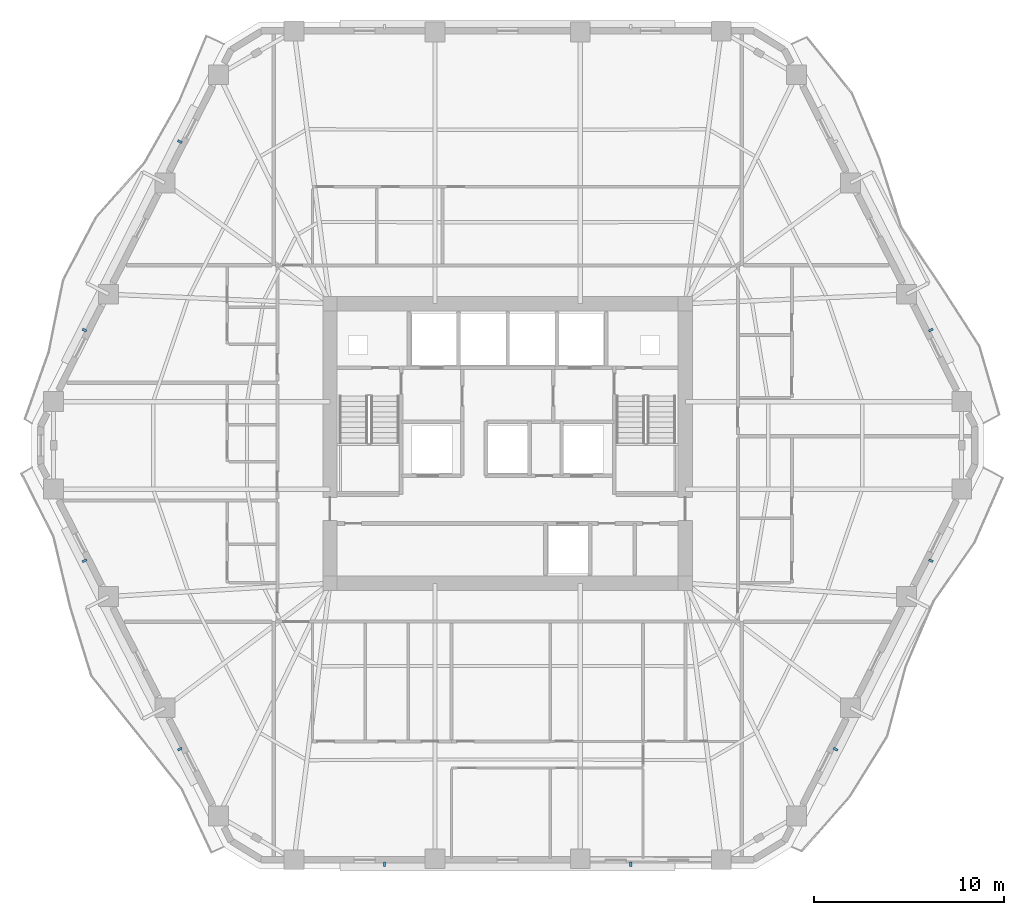
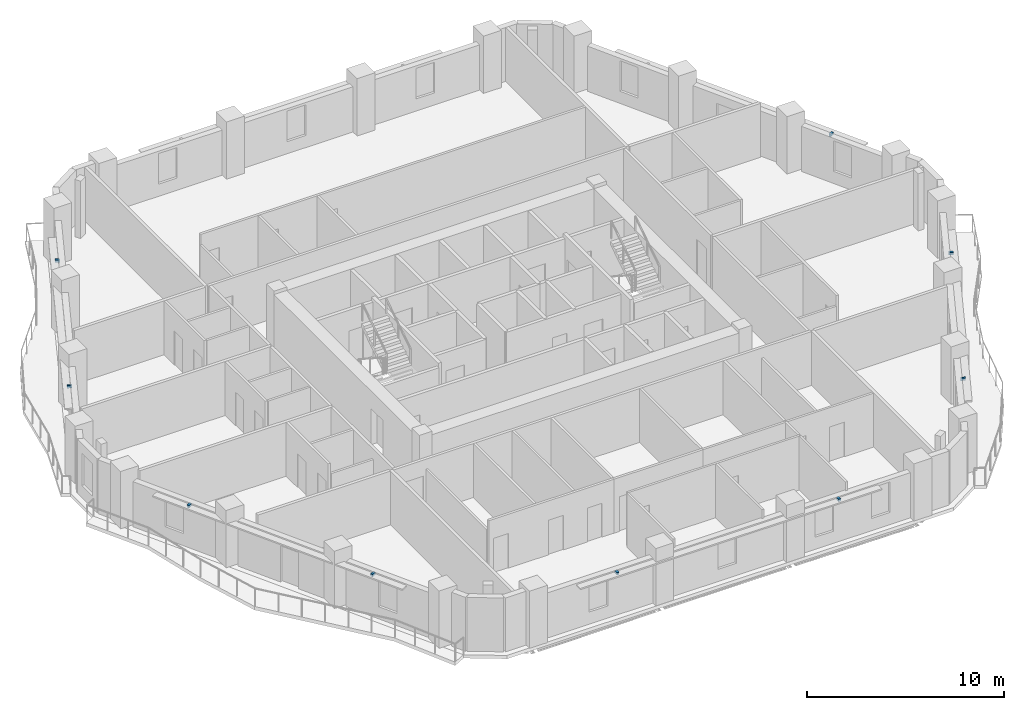
# One storey, part 8 of 12: 9 discrete accessories.
"""IFC4 building model written with IfcOpenShell, lengths in metres."""

from ifc_helpers import new_model, si_unit, direction, frame, origin, origin_2d, place, context, subcontext, project, spatial, rectangle, extrude, material, type_object, element, save


model = new_model("IFC4")

# Units and contexts
model_context = context("Model", 3, precision=1e-05, world=origin(), true_north=direction((0.0, 1.0)))
body_context = subcontext(model_context, "Body", "Model", "MODEL_VIEW")
ifc_project = project(units=[si_unit("LENGTHUNIT", "METRE"), si_unit("AREAUNIT", "SQUARE_METRE"), si_unit("VOLUMEUNIT", "CUBIC_METRE"), si_unit("PLANEANGLEUNIT", "RADIAN"), si_unit("MASSUNIT", "GRAM", prefix="KILO")], contexts=[model_context])

# Site, building, storey
site_placement = place(None, origin())
site = spatial("IfcSite", under=ifc_project, at=site_placement, CompositionType="ELEMENT")
building_placement = place(site_placement, origin())
building = spatial("IfcBuilding", under=site, at=building_placement, Name="Cinnabar Lancet Tower", CompositionType="ELEMENT")
storey_placement = place(building_placement, frame((0.0, 0.0, 123.25)))
storey = spatial("IfcBuildingStorey", under=building, at=storey_placement, Name="L32", CompositionType="ELEMENT", Elevation=123.25)

# Discrete accessories
ifc_material = material(Name="Stainless steel 316 facade fixing bracket", Category="steel")
discrete_accessory_type = type_object("IfcDiscreteAccessoryType", Name="ENV-ACC-BRK-180", PredefinedType="BRACKET", material=ifc_material)
for number, where, z_axis, x_axis, name in (
    (1, (25.89892578125, 3.7099609375, 2.60009765625), (0.0, 0.0, 1.0), (1.0, 0.0, 0.0), "L32 Face 1 Sunshade Bracket A"),
    (2, (38.90087890625, 3.7099609375, 2.60009765625), (0.0, 0.0, 1.0), (1.0, 0.0, 0.0), "L32 Face 1 Sunshade Bracket B"),
    (3, (49.698974609375, 9.77197265625, 2.60009765625), (0.0, 0.0, 1.0), (0.451453853408, 0.892294468347, 0.0), "L32 Face 2 Sunshade Bracket A"),
    (4, (54.72998046875, 19.717041015625, 2.60009765625), (0.0, 0.0, 1.0), (0.451453853408, 0.892294468347, 0.0), "L32 Face 2 Sunshade Bracket B"),
    (5, (54.72998046875, 31.883056640625, 2.60009765625), (0.0, 0.0, 1.0), (-0.451453853408, 0.892294468347, 0.0), "L32 Face 3 Sunshade Bracket A"),
    (6, (15.10107421875, 41.827880859375, 2.60009765625), (0.0, 0.0, 1.0), (-0.451453853408, -0.892294468347, 0.0), "L32 Face 5 Sunshade Bracket A"),
    (7, (10.070068359375, 31.883056640625, 2.60009765625), (0.0, 0.0, 1.0), (-0.451453853408, -0.892294468347, 0.0), "L32 Face 5 Sunshade Bracket B"),
    (8, (10.070068359375, 19.717041015625, 2.60009765625), (0.0, 0.0, 1.0), (0.451453853408, -0.892294468347, 0.0), "L32 Face 6 Sunshade Bracket A"),
    (9, (15.10107421875, 9.77197265625, 2.60009765625), (0.0, 0.0, 1.0), (0.451453853408, -0.892294468347, 0.0), "L32 Face 6 Sunshade Bracket B"),
):
    element("IfcDiscreteAccessory", number, at=place(storey_placement, frame(where, z_axis=z_axis, x_axis=x_axis)), inside=storey, type_object=discrete_accessory_type, Name=name, PredefinedType="BRACKET", context=body_context, shape_type="SweptSolid", body=[
        extrude(rectangle(XDim=0.1201171875, YDim=0.239990234375, at=origin_2d()), origin(), (0.0, 0.0, 1.0), 0.159912109375),
    ])

save(model, "model.ifc")
